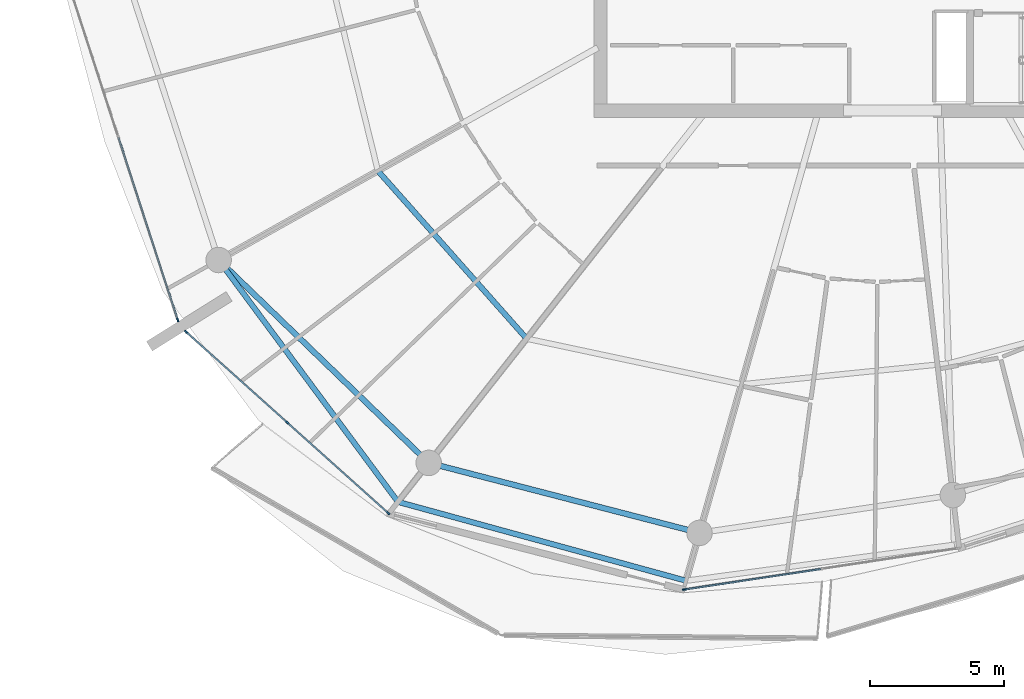
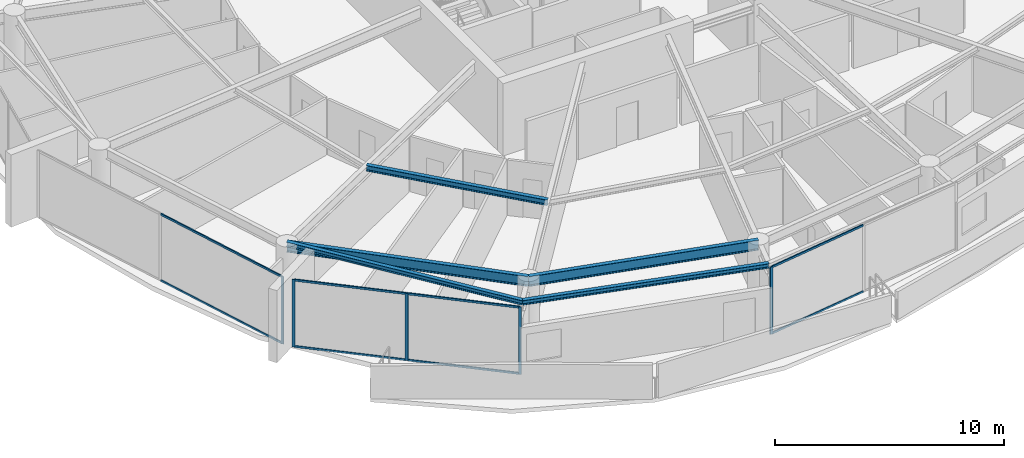
# One storey, part 6 of 31: 13 members, 5 beams, 3 elements without a shape of their own.
"""IFC4 building model written with IfcOpenShell, lengths in metres."""

from ifc_helpers import new_model, si_unit, direction, frame, origin, origin_2d, place, context, subcontext, project, spatial, rectangle, i_section, extrude, material, layer, layer_set, material_profile, profile_set, type_object, element, aggregate, save


model = new_model("IFC4")

# Units and contexts
model_context = context("Model", 3, precision=1e-05, world=origin(), true_north=direction((0.0, 1.0)))
body_context = subcontext(model_context, "Body", "Model", "MODEL_VIEW")
ifc_project = project(units=[si_unit("LENGTHUNIT", "METRE"), si_unit("AREAUNIT", "SQUARE_METRE"), si_unit("VOLUMEUNIT", "CUBIC_METRE"), si_unit("PLANEANGLEUNIT", "RADIAN"), si_unit("MASSUNIT", "GRAM", prefix="KILO")], contexts=[model_context])

# Site, building, storey
site_placement = place(None, origin())
site = spatial("IfcSite", under=ifc_project, at=site_placement, CompositionType="ELEMENT")
building_placement = place(site_placement, origin())
building = spatial("IfcBuilding", under=site, at=building_placement, Name="Kazma Halo Residences", CompositionType="ELEMENT")
storey_placement = place(building_placement, frame((0.0, 0.0, 275.199951171875)))
storey = spatial("IfcBuildingStorey", under=building, at=storey_placement, Name="L69", CompositionType="ELEMENT", Elevation=275.199951171875)

# Beams
ifc_material_1 = material(Name="Steel S355", Category="steel")
ifc_material_profile_1 = material_profile(ifc_material_1, i_section(OverallWidth=0.201904296875, OverallDepth=0.2470703125, WebThickness=0.00732421875, FlangeThickness=0.010986328125, FilletRadius=0.011962890625, at=origin_2d()), Name="W250x49.1")
ifc_profile_set_1 = profile_set([ifc_material_profile_1], Name="Steel S355")
beam_type_1 = type_object("IfcBeamType", Name="BM-BAL-CANT", PredefinedType="BEAM", material=ifc_profile_set_1)
beam_1_placement = place(storey_placement, frame((23.32958984375, 28.18408203125, 3.466552734375), z_axis=(0.595556062515, -0.803313747176, 0.0), x_axis=(0.803313747176, 0.595556062515, 0.0)))
element("IfcBeam", 1, at=beam_1_placement, inside=storey, type_object=beam_type_1, Name="L69 wave-balcony lead tie beam 09", PredefinedType="BEAM", context=body_context, shape_type="SweptSolid", body=[
    extrude(i_section(OverallWidth=0.201904296875, OverallDepth=0.2470703125, WebThickness=0.00732421875, FlangeThickness=0.010986328125, FilletRadius=0.011962890625, at=origin_2d()), origin(), (0.0, 0.0, 1.0), 11.213134765625),
])
beam_2_placement = place(storey_placement, frame((30.007568359375, 19.176513671875, 3.466552734375), z_axis=(0.964514665976, -0.264029277006, 0.0), x_axis=(0.264029277006, 0.964514665976, 0.0)))
element("IfcBeam", 2, at=beam_2_placement, inside=storey, type_object=beam_type_1, Name="L69 wave-balcony tie beam 10", PredefinedType="BEAM", context=body_context, shape_type="SweptSolid", body=[
    extrude(i_section(OverallWidth=0.201904296875, OverallDepth=0.2470703125, WebThickness=0.00732421875, FlangeThickness=0.010986328125, FilletRadius=0.011962890625, at=origin_2d()), origin(), (0.0, 0.0, 1.0), 11.1220703125),
])
ifc_material_profile_2 = material_profile(ifc_material_1, i_section(OverallWidth=0.202880859375, OverallDepth=0.302978515625, WebThickness=0.007568359375, FlangeThickness=0.01318359375, FilletRadius=0.013916015625, at=origin_2d()), Name="W310x60")
ifc_profile_set_2 = profile_set([ifc_material_profile_2], Name="Steel S355")
beam_type_2 = type_object("IfcBeamType", Name="BM-SEC-W310A", PredefinedType="JOIST", material=ifc_profile_set_2)
beam_3_placement = place(storey_placement, frame((29.26025390625, 31.505126953125, 3.4384765625), z_axis=(0.663307142238, -0.748347269024, 0.0), x_axis=(0.748347269024, 0.663307142238, 0.0)))
element("IfcBeam", 3, at=beam_3_placement, inside=storey, type_object=beam_type_2, Name="L69 circumferential floor joist 09", PredefinedType="JOIST", context=body_context, shape_type="SweptSolid", body=[
    extrude(i_section(OverallWidth=0.202880859375, OverallDepth=0.302978515625, WebThickness=0.007568359375, FlangeThickness=0.01318359375, FilletRadius=0.013916015625, at=origin_2d()), origin(), (0.0, 0.0, 1.0), 8.351318359375),
])
ifc_material_profile_3 = material_profile(ifc_material_1, i_section(OverallWidth=0.208984375, OverallDepth=0.532958984375, WebThickness=0.01025390625, FlangeThickness=0.015625, FilletRadius=0.01611328125, at=origin_2d()), Name="W530x92")
ifc_profile_set_3 = profile_set([ifc_material_profile_3], Name="Steel S355")
beam_type_3 = type_object("IfcBeamType", Name="BM-SPN-W530", PredefinedType="BEAM", material=ifc_profile_set_3)
beam_4_placement = place(storey_placement, frame((23.32958984375, 28.18408203125, 3.323486328125), z_axis=(0.719345757929, -0.694652201141, 0.0), x_axis=(0.694652201141, 0.719345757929, 0.0)))
element("IfcBeam", 4, at=beam_4_placement, inside=storey, type_object=beam_type_3, Name="L69 perimeter ring beam 09", PredefinedType="BEAM", context=body_context, shape_type="SweptSolid", body=[
    extrude(i_section(OverallWidth=0.208984375, OverallDepth=0.532958984375, WebThickness=0.01025390625, FlangeThickness=0.015625, FilletRadius=0.01611328125, at=origin_2d()), origin(), (0.0, 0.0, 1.0), 10.87548828125),
])
beam_5_placement = place(storey_placement, frame((31.15283203125, 20.62939453125, 3.323486328125), z_axis=(0.968126042852, -0.250463500639, 0.0), x_axis=(0.250463500639, 0.968126042852, 0.0)))
element("IfcBeam", 5, at=beam_5_placement, inside=storey, type_object=beam_type_3, Name="L69 perimeter ring beam 10", PredefinedType="BEAM", context=body_context, shape_type="SweptSolid", body=[
    extrude(i_section(OverallWidth=0.208984375, OverallDepth=0.532958984375, WebThickness=0.01025390625, FlangeThickness=0.015625, FilletRadius=0.01611328125, at=origin_2d()), origin(), (0.0, 0.0, 1.0), 10.416259765625),
])

# Curtain wall, member
ifc_material_2 = material(Name="Aluminium AW-6063 T6 and Triple-Silver Low-E Glass", Category="aluminium")
ifc_layer = layer(ifc_material_2, 0.139892578125)
ifc_layer_set = layer_set([ifc_layer], Name="Aluminium AW-6063 T6 and Triple-Silver Low-E Glass")
curtain_wall_type = type_object("IfcCurtainWallType", Name="CW-SYS-5", PredefinedType="NOTDEFINED", material=ifc_layer_set)
curtain_wall_1_placement = place(storey_placement, origin())
curtain_wall_1 = element("IfcCurtainWall", 6, at=curtain_wall_1_placement, inside=storey, type_object=curtain_wall_type, Name="L69 unitised curtain wall B08", PredefinedType="NOTDEFINED")
ifc_material_3 = material(Name="Aluminium AW-6063 T6", Category="aluminium")
ifc_material_profile_4 = material_profile(ifc_material_3, rectangle(XDim=0.06005859375, YDim=0.139892578125, at=origin_2d()), Name="CWM-60x140")
ifc_profile_set_4 = profile_set([ifc_material_profile_4], Name="Aluminium AW-6063 T6")
member_type_1 = type_object("IfcMemberType", Name="CW-SYS-5-MUL", PredefinedType="MULLION", material=ifc_profile_set_4)
member_1_placement = place(storey_placement, frame((21.8076171875, 25.9521484375, 0.0), z_axis=(0.0, 0.0, 1.0), x_axis=(0.951058464359, 0.309010998786, 0.0)))
member_1 = element("IfcMember", 7, at=member_1_placement, type_object=member_type_1, Name="CWS-5 mullion 3", PredefinedType="MULLION", context=body_context, shape_type="SweptSolid", body=[
    extrude(rectangle(XDim=0.06005859375, YDim=0.139892578125, at=origin_2d()), origin(), (0.0, 0.0, 1.0), 3.590087890625),
])

# Curtain wall, members
curtain_wall_2_placement = place(storey_placement, origin())
curtain_wall_2 = element("IfcCurtainWall", 8, at=curtain_wall_2_placement, inside=storey, type_object=curtain_wall_type, Name="L69 unitised curtain wall B09", PredefinedType="NOTDEFINED")
member_2_placement = place(storey_placement, frame((22.11669921875, 25.508056640625, 0.0), z_axis=(0.0, 0.0, 1.0), x_axis=(0.667804826958, 0.744336424671, 0.0)))
member_2 = element("IfcMember", 9, at=member_2_placement, type_object=member_type_1, Name="CWS-5 mullion 1", PredefinedType="MULLION", context=body_context, shape_type="SweptSolid", body=[
    extrude(rectangle(XDim=0.06005859375, YDim=0.139892578125, at=origin_2d()), origin(), (0.0, 0.0, 1.0), 3.590087890625),
])
member_3_placement = place(storey_placement, frame((25.878173828125, 22.13330078125, 0.0), z_axis=(0.0, 0.0, 1.0), x_axis=(0.667804826958, 0.744336424671, 0.0)))
member_3 = element("IfcMember", 10, at=member_3_placement, type_object=member_type_1, Name="CWS-5 mullion 2", PredefinedType="MULLION", context=body_context, shape_type="SweptSolid", body=[
    extrude(rectangle(XDim=0.06005859375, YDim=0.139892578125, at=origin_2d()), origin(), (0.0, 0.0, 1.0), 3.590087890625),
])
member_4_placement = place(storey_placement, frame((29.6396484375, 18.758544921875, 0.0), z_axis=(0.0, 0.0, 1.0), x_axis=(0.667804826958, 0.744336424671, 0.0)))
member_4 = element("IfcMember", 11, at=member_4_placement, type_object=member_type_1, Name="CWS-5 mullion 3", PredefinedType="MULLION", context=body_context, shape_type="SweptSolid", body=[
    extrude(rectangle(XDim=0.06005859375, YDim=0.139892578125, at=origin_2d()), origin(), (0.0, 0.0, 1.0), 3.590087890625),
])

# Curtain wall, member
curtain_wall_3_placement = place(storey_placement, origin())
curtain_wall_3 = element("IfcCurtainWall", 12, at=curtain_wall_3_placement, inside=storey, type_object=curtain_wall_type, Name="L69 unitised curtain wall B11", PredefinedType="NOTDEFINED")
member_5_placement = place(storey_placement, frame((40.671142578125, 15.912841796875, 0.0), z_axis=(0.0, 0.0, 1.0), x_axis=(-0.148697080374, 0.988882792998, 0.0)))
member_5 = element("IfcMember", 13, at=member_5_placement, type_object=member_type_1, Name="CWS-5 mullion 1", PredefinedType="MULLION", context=body_context, shape_type="SweptSolid", body=[
    extrude(rectangle(XDim=0.06005859375, YDim=0.139892578125, at=origin_2d()), origin(), (0.0, 0.0, 1.0), 3.590087890625),
])

# Member
ifc_material_profile_5 = material_profile(ifc_material_3, rectangle(XDim=0.06005859375, YDim=0.10498046875, at=origin_2d()), Name="CWT-60x105")
ifc_profile_set_5 = profile_set([ifc_material_profile_5], Name="Aluminium AW-6063 T6")
member_type_2 = type_object("IfcMemberType", Name="CW-SYS-5-TRN", PredefinedType="USERDEFINED", material=ifc_profile_set_5)
member_6_placement = place(storey_placement, frame((19.6015625, 32.7412109375, 0.030029296875), z_axis=(0.309027052142, -0.95105324827, 0.0), x_axis=(0.95105324827, 0.309027052142, 0.0)))
member_6 = element("IfcMember", 14, at=member_6_placement, type_object=member_type_2, Name="CWS-5 transom 2.1", ObjectType="TRANSOM", PredefinedType="USERDEFINED", context=body_context, shape_type="SweptSolid", body=[
    extrude(rectangle(XDim=0.06005859375, YDim=0.10498046875, at=origin_2d()), origin(), (0.0, 0.0, 1.0), 7.108642578125),
])

member_7_placement = place(storey_placement, frame((19.6015625, 32.7412109375, 3.56005859375), z_axis=(0.309027052142, -0.95105324827, 0.0), x_axis=(0.95105324827, 0.309027052142, 0.0)))
member_7 = element("IfcMember", 15, at=member_7_placement, type_object=member_type_2, Name="CWS-5 transom 2.2", ObjectType="TRANSOM", PredefinedType="USERDEFINED", context=body_context, shape_type="SweptSolid", body=[
    extrude(rectangle(XDim=0.06005859375, YDim=0.10498046875, at=origin_2d()), origin(), (0.0, 0.0, 1.0), 7.108642578125),
])

aggregate(curtain_wall_1, [member_1, member_6, member_7])

member_8_placement = place(storey_placement, frame((22.138916015625, 25.488037109375, 0.030029296875), z_axis=(0.744328897483, -0.667813216679, 0.0), x_axis=(0.667813216679, 0.744328897483, 0.0)))
member_8 = element("IfcMember", 16, at=member_8_placement, type_object=member_type_2, Name="CWS-5 transom 1.1", ObjectType="TRANSOM", PredefinedType="USERDEFINED", context=body_context, shape_type="SweptSolid", body=[
    extrude(rectangle(XDim=0.06005859375, YDim=0.10498046875, at=origin_2d()), origin(), (0.0, 0.0, 1.0), 4.993408203125),
])

member_9_placement = place(storey_placement, frame((22.138916015625, 25.488037109375, 3.56005859375), z_axis=(0.744328897483, -0.667813216679, 0.0), x_axis=(0.667813216679, 0.744328897483, 0.0)))
member_9 = element("IfcMember", 17, at=member_9_placement, type_object=member_type_2, Name="CWS-5 transom 1.2", ObjectType="TRANSOM", PredefinedType="USERDEFINED", context=body_context, shape_type="SweptSolid", body=[
    extrude(rectangle(XDim=0.06005859375, YDim=0.10498046875, at=origin_2d()), origin(), (0.0, 0.0, 1.0), 4.993408203125),
])

member_10_placement = place(storey_placement, frame((25.900390625, 22.11328125, 0.030029296875), z_axis=(0.744350700793, -0.667788914425, 0.0), x_axis=(0.667788914425, 0.744350700793, 0.0)))
member_10 = element("IfcMember", 18, at=member_10_placement, type_object=member_type_2, Name="CWS-5 transom 2.1", ObjectType="TRANSOM", PredefinedType="USERDEFINED", context=body_context, shape_type="SweptSolid", body=[
    extrude(rectangle(XDim=0.06005859375, YDim=0.10498046875, at=origin_2d()), origin(), (0.0, 0.0, 1.0), 4.99365234375),
])

member_11_placement = place(storey_placement, frame((25.900390625, 22.11328125, 3.56005859375), z_axis=(0.744350700793, -0.667788914425, 0.0), x_axis=(0.667788914425, 0.744350700793, 0.0)))
member_11 = element("IfcMember", 19, at=member_11_placement, type_object=member_type_2, Name="CWS-5 transom 2.2", ObjectType="TRANSOM", PredefinedType="USERDEFINED", context=body_context, shape_type="SweptSolid", body=[
    extrude(rectangle(XDim=0.06005859375, YDim=0.10498046875, at=origin_2d()), origin(), (0.0, 0.0, 1.0), 4.99365234375),
])

aggregate(curtain_wall_2, [member_2, member_3, member_4, member_8, member_9, member_10, member_11])

member_12_placement = place(storey_placement, frame((40.70068359375, 15.917236328125, 0.030029296875), z_axis=(0.988883972013, 0.148689239341, 0.0), x_axis=(-0.148689239341, 0.988883972013, 0.0)))
member_12 = element("IfcMember", 20, at=member_12_placement, type_object=member_type_2, Name="CWS-5 transom 1.1", ObjectType="TRANSOM", PredefinedType="USERDEFINED", context=body_context, shape_type="SweptSolid", body=[
    extrude(rectangle(XDim=0.06005859375, YDim=0.10498046875, at=origin_2d()), origin(), (0.0, 0.0, 1.0), 5.099853515625),
])

member_13_placement = place(storey_placement, frame((40.70068359375, 15.917236328125, 3.56005859375), z_axis=(0.988883972013, 0.148689239341, 0.0), x_axis=(-0.148689239341, 0.988883972013, 0.0)))
member_13 = element("IfcMember", 21, at=member_13_placement, type_object=member_type_2, Name="CWS-5 transom 1.2", ObjectType="TRANSOM", PredefinedType="USERDEFINED", context=body_context, shape_type="SweptSolid", body=[
    extrude(rectangle(XDim=0.06005859375, YDim=0.10498046875, at=origin_2d()), origin(), (0.0, 0.0, 1.0), 5.099853515625),
])

aggregate(curtain_wall_3, [member_5, member_12, member_13])

save(model, "model.ifc")
